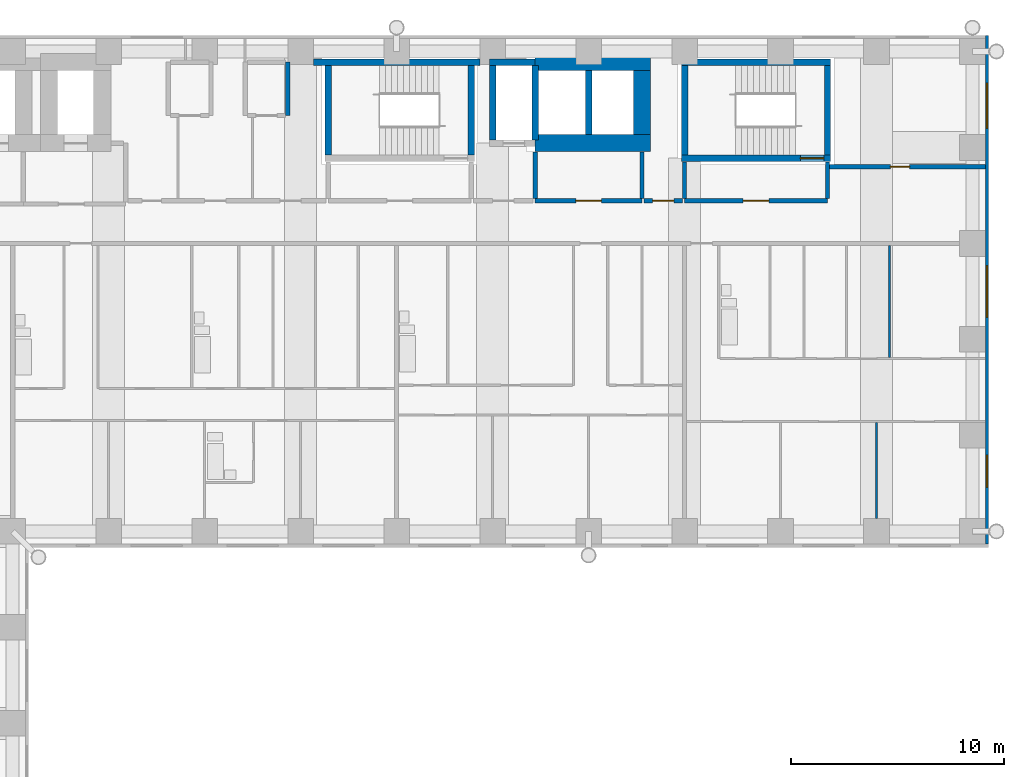
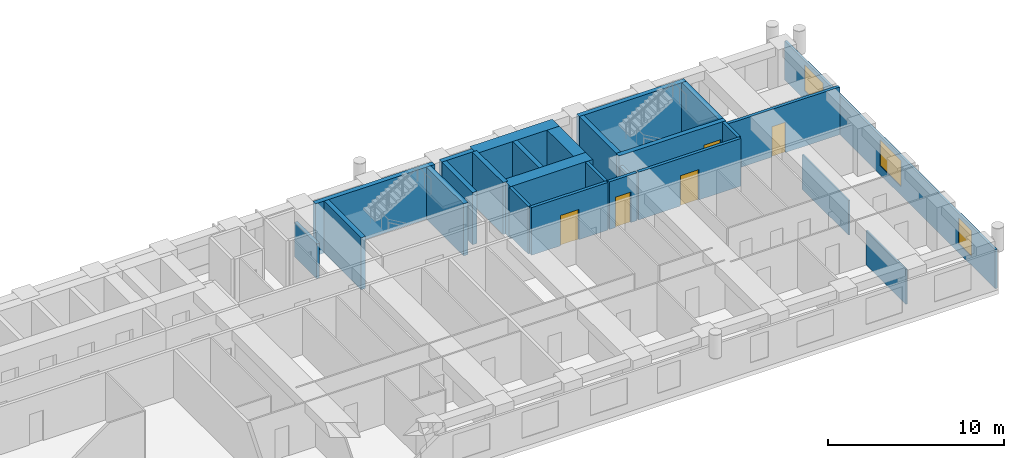
# One storey, part 11 of 14: 26 walls, 5 doors, 3 windows, 8 openings.
"""IFC4 building model written with IfcOpenShell, lengths in metres."""

from ifc_helpers import new_model, si_unit, direction, frame, frame_2d, origin, place, context, subcontext, project, spatial, rectangle, extrude, material, layer, layer_set, type_object, element, fill, save


model = new_model("IFC4")

# Units and contexts
model_context = context("Model", 3, precision=1e-05, world=origin(), true_north=direction((0.0, 1.0)))
body_context = subcontext(model_context, "Body", "Model", "MODEL_VIEW")
ifc_project = project(units=[si_unit("LENGTHUNIT", "METRE"), si_unit("AREAUNIT", "SQUARE_METRE"), si_unit("VOLUMEUNIT", "CUBIC_METRE"), si_unit("PLANEANGLEUNIT", "RADIAN"), si_unit("MASSUNIT", "GRAM", prefix="KILO")], contexts=[model_context])

# Site, building, storey
site_placement = place(None, origin())
site = spatial("IfcSite", under=ifc_project, at=site_placement, CompositionType="ELEMENT")
building_placement = place(site_placement, origin())
building = spatial("IfcBuilding", under=site, at=building_placement, Name="Firuza Court", CompositionType="ELEMENT")
storey_placement = place(building_placement, frame((0.0, 0.0, 47.0)))
storey = spatial("IfcBuildingStorey", under=building, at=storey_placement, Name="L10", CompositionType="ELEMENT", Elevation=47.0)

# Walls
ifc_material_1 = material(Name="Concrete C60/75", Category="concrete")
ifc_layer_1 = layer(ifc_material_1, 0.300048828125)
ifc_layer_set_1 = layer_set([ifc_layer_1], Name="Concrete C60/75")
wall_type_1 = type_object("IfcWallType", Name="Core wall 300 C60/75", PredefinedType="SHEAR", material=ifc_layer_set_1)
wall_1_placement = place(storey_placement, frame((36.60009765625, 58.0, -0.300048828125), z_axis=(0.0, 0.0, 1.0), x_axis=(1.0, 0.0, 0.0)))
element("IfcWall", 1, at=wall_1_placement, inside=storey, type_object=wall_type_1, Name="Core wall stair L10", PredefinedType="SHEAR", context=body_context, shape_type="SweptSolid", body=[
    extrude(rectangle(XDim=7.7998046875, YDim=0.300048828125, at=frame_2d((3.89990234375, 0.0))), origin(), (0.0, 0.0, 1.0), 3.60009765625),
])
for number, where, z_axis, x_axis, name in (
    (2, (37.300048828125, 53.64990234375, -0.300048828125), (0.0, 0.0, 1.0), (0.0, 1.0, 0.0), "Core wall stair L10"),
    (3, (44.0, 53.64990234375, -0.300048828125), (0.0, 0.0, 1.0), (0.0, 1.0, 0.0), "Core wall stair L10"),
):
    element("IfcWall", number, at=place(storey_placement, frame(where, z_axis=z_axis, x_axis=x_axis)), inside=storey, type_object=wall_type_1, Name=name, PredefinedType="SHEAR", context=body_context, shape_type="SweptSolid", body=[
        extrude(rectangle(XDim=4.2001953125, YDim=0.300048828125, at=frame_2d((2.10009765625, 0.0))), origin(), (0.0, 0.0, 1.0), 3.60009765625),
    ])
wall_2_placement = place(storey_placement, frame((44.85009765625, 58.0, -0.300048828125), z_axis=(0.0, 0.0, 1.0), x_axis=(1.0, 0.0, 0.0)))
element("IfcWall", 4, at=wall_2_placement, inside=storey, type_object=wall_type_1, Name="Core wall riser L10", PredefinedType="SHEAR", context=body_context, shape_type="SweptSolid", body=[
    extrude(rectangle(XDim=2.14990234375, YDim=0.300048828125, at=frame_2d((1.074951171875, 0.0))), origin(), (0.0, 0.0, 1.0), 3.60009765625),
])
for number, where, z_axis, x_axis, name in (
    (5, (45.0, 54.35009765625, -0.300048828125), (0.0, 0.0, 1.0), (0.0, 1.0, 0.0), "Core wall riser L10"),
    (6, (47.0, 54.35009765625, -0.300048828125), (0.0, 0.0, 1.0), (0.0, 1.0, 0.0), "Core wall lift shaft L10"),
):
    element("IfcWall", number, at=place(storey_placement, frame(where, z_axis=z_axis, x_axis=x_axis)), inside=storey, type_object=wall_type_1, Name=name, PredefinedType="SHEAR", context=body_context, shape_type="SweptSolid", body=[
        extrude(rectangle(XDim=3.5, YDim=0.300048828125, at=frame_2d((1.75, 0.0))), origin(), (0.0, 0.0, 1.0), 3.60009765625),
    ])
wall_3_placement = place(storey_placement, frame((49.5, 54.60009765625, -0.300048828125), z_axis=(0.0, 0.0, 1.0), x_axis=(0.0, 1.0, 0.0)))
element("IfcWall", 7, at=wall_3_placement, inside=storey, type_object=wall_type_1, Name="Core wall lift shaft L10", PredefinedType="SHEAR", context=body_context, shape_type="SweptSolid", body=[
    extrude(rectangle(XDim=3.0, YDim=0.300048828125, at=frame_2d((1.5, 0.0))), origin(), (0.0, 0.0, 1.0), 3.60009765625),
])

# Wall, opening, door
wall_4_placement = place(storey_placement, frame((53.85009765625, 53.5, -0.300048828125), z_axis=(0.0, 0.0, 1.0), x_axis=(1.0, 0.0, 0.0)))
wall_4 = element("IfcWall", 8, at=wall_4_placement, inside=storey, type_object=wall_type_1, Name="Core wall stair L10", PredefinedType="SHEAR", context=body_context, shape_type="SweptSolid", body=[
    extrude(rectangle(XDim=7.0, YDim=0.300048828125, at=frame_2d((3.5, 0.0))), origin(), (0.0, 0.0, 1.0), 3.60009765625),
])
opening_1_placement = place(wall_4_placement, frame((5.580078125, 0.0, 0.300048828125)))
opening_1 = element("IfcOpeningElement", 9, at=opening_1_placement, cuts=wall_4, Name="Opening D10017", PredefinedType="OPENING", context=body_context, shape_type="SweptSolid", body=[
    extrude(rectangle(XDim=1.10009765625, YDim=2.10009765625, at=frame_2d((0.550048828125, 1.050048828125))), frame((0.0, 0.162109375, 0.0), z_axis=(0.0, -1.0, 0.0), x_axis=(1.0, 0.0, 0.0)), (0.0, 0.0, 1.0), 0.323974609375),
])
ifc_material_2 = material(Name="Timber door leaf in hardwood frame", Category="wood")
door_type_1 = type_object("IfcDoorType", Name="Stair door 1100", OperationType="SINGLE_SWING_LEFT", PredefinedType="DOOR", material=ifc_material_2)
door_1_placement = place(opening_1_placement, origin())
door_1 = element("IfcDoor", 10, at=door_1_placement, inside=storey, type_object=door_type_1, Name="Stair door S4", OperationType="SINGLE_SWING_RIGHT", OverallHeight=2.10009765625, OverallWidth=1.10009765625, PredefinedType="DOOR", context=body_context, shape_type="SweptSolid", body=[
    extrude(rectangle(XDim=1.10009765625, YDim=2.10009765625, at=frame_2d((0.550048828125, 1.050048828125))), frame((0.0, 0.02490234375, 0.0), z_axis=(0.0, -1.0, 0.0), x_axis=(1.0, 0.0, 0.0)), (0.0, 0.0, 1.0), 0.050048828125),
])
fill(opening_1, door_1)

# Walls
wall_5_placement = place(storey_placement, frame((53.85009765625, 58.0, -0.300048828125), z_axis=(0.0, 0.0, 1.0), x_axis=(1.0, 0.0, 0.0)))
element("IfcWall", 11, at=wall_5_placement, inside=storey, type_object=wall_type_1, Name="Core wall stair L10", PredefinedType="SHEAR", context=body_context, shape_type="SweptSolid", body=[
    extrude(rectangle(XDim=7.0, YDim=0.300048828125, at=frame_2d((3.5, 0.0))), origin(), (0.0, 0.0, 1.0), 3.60009765625),
])
for number, where, z_axis, x_axis, name in (
    (12, (54.0, 53.64990234375, -0.300048828125), (0.0, 0.0, 1.0), (0.0, 1.0, 0.0), "Core wall stair L10"),
    (13, (60.699951171875, 53.64990234375, -0.300048828125), (0.0, 0.0, 1.0), (0.0, 1.0, 0.0), "Core wall stair L10"),
):
    element("IfcWall", number, at=place(storey_placement, frame(where, z_axis=z_axis, x_axis=x_axis)), inside=storey, type_object=wall_type_1, Name=name, PredefinedType="SHEAR", context=body_context, shape_type="SweptSolid", body=[
        extrude(rectangle(XDim=4.2001953125, YDim=0.300048828125, at=frame_2d((2.10009765625, 0.0))), origin(), (0.0, 0.0, 1.0), 3.60009765625),
    ])
ifc_layer_2 = layer(ifc_material_1, 0.800048828125)
ifc_layer_set_2 = layer_set([ifc_layer_2], Name="Concrete C60/75")
wall_type_2 = type_object("IfcWallType", Name="Core wall 800 C60/75", PredefinedType="SHEAR", material=ifc_layer_set_2)
for number, where, z_axis, x_axis, name in (
    (14, (47.0, 54.199951171875, -0.300048828125), (0.0, 0.0, 1.0), (1.0, 0.0, 0.0), "Core wall lift shaft L10"),
    (15, (47.0, 58.0, -0.300048828125), (0.0, 0.0, 1.0), (1.0, 0.0, 0.0), "Core wall lift shaft L10"),
):
    element("IfcWall", number, at=place(storey_placement, frame(where, z_axis=z_axis, x_axis=x_axis)), inside=storey, type_object=wall_type_2, Name=name, PredefinedType="SHEAR", context=body_context, shape_type="SweptSolid", body=[
        extrude(rectangle(XDim=5.39990234375, YDim=0.800048828125, at=frame_2d((2.699951171875, 0.0))), origin(), (0.0, 0.0, 1.0), 3.60009765625),
    ])
wall_6_placement = place(storey_placement, frame((52.0, 54.60009765625, -0.300048828125), z_axis=(0.0, 0.0, 1.0), x_axis=(0.0, 1.0, 0.0)))
element("IfcWall", 16, at=wall_6_placement, inside=storey, type_object=wall_type_2, Name="Core wall lift shaft L10", PredefinedType="SHEAR", context=body_context, shape_type="SweptSolid", body=[
    extrude(rectangle(XDim=3.0, YDim=0.800048828125, at=frame_2d((1.5, 0.0))), origin(), (0.0, 0.0, 1.0), 3.60009765625),
])

# Wall, opening, door
ifc_material_3 = material(Name="Blockwork, plastered both sides", Category="masonry")
ifc_layer_3 = layer(ifc_material_3, 0.199951171875)
ifc_layer_set_3 = layer_set([ifc_layer_3], Name="Blockwork, plastered both sides")
wall_type_3 = type_object("IfcWallType", Name="Corridor wall 200", PredefinedType="PARTITIONING", material=ifc_layer_set_3)
wall_7_placement = place(storey_placement, frame((52.10009765625, 51.5, 0.0), z_axis=(0.0, 0.0, 1.0), x_axis=(1.0, 0.0, 0.0)))
wall_7 = element("IfcWall", 17, at=wall_7_placement, inside=storey, type_object=wall_type_3, Name="Corridor wall 200 L10", PredefinedType="PARTITIONING", context=body_context, shape_type="SweptSolid", body=[
    extrude(rectangle(XDim=1.7998046875, YDim=0.199951171875, at=frame_2d((0.89990234375, 0.0))), origin(), (0.0, 0.0, 1.0), 3.300048828125),
])
opening_2_placement = place(wall_7_placement, frame((0.39990234375, 0.0, 0.0)))
opening_2 = element("IfcOpeningElement", 18, at=opening_2_placement, cuts=wall_7, Name="Opening D10078", PredefinedType="OPENING", context=body_context, shape_type="SweptSolid", body=[
    extrude(rectangle(XDim=1.0, YDim=2.10009765625, at=frame_2d((0.5, 1.050048828125))), frame((0.0, 0.11181640625, 0.0), z_axis=(0.0, -1.0, 0.0), x_axis=(1.0, 0.0, 0.0)), (0.0, 0.0, 1.0), 0.223876953125),
])
ifc_material_4 = material(Name="Timber door leaf in hardwood frame", Category="wood")
door_type_2 = type_object("IfcDoorType", Name="Store door 1000", OperationType="SINGLE_SWING_LEFT", PredefinedType="DOOR", material=ifc_material_4)
door_2_placement = place(opening_2_placement, origin())
door_2 = element("IfcDoor", 19, at=door_2_placement, inside=storey, type_object=door_type_2, Name="Bicycle store door", OperationType="SINGLE_SWING_LEFT", OverallHeight=2.10009765625, OverallWidth=1.0, PredefinedType="DOOR", context=body_context, shape_type="SweptSolid", body=[
    extrude(rectangle(XDim=1.0, YDim=2.10009765625, at=frame_2d((0.5, 1.050048828125))), frame((0.0, 0.02490234375, 0.0), z_axis=(0.0, -1.0, 0.0), x_axis=(1.0, 0.0, 0.0)), (0.0, 0.0, 1.0), 0.050048828125),
])
fill(opening_2, door_2)

wall_8_placement = place(storey_placement, frame((60.800048828125, 53.10009765625, 0.0), z_axis=(0.0, 0.0, 1.0), x_axis=(1.0, 0.0, 0.0)))
wall_8 = element("IfcWall", 20, at=wall_8_placement, inside=storey, type_object=wall_type_3, Name="Corridor wall 200 L10", PredefinedType="PARTITIONING", context=body_context, shape_type="SweptSolid", body=[
    extrude(rectangle(XDim=7.300048828125, YDim=0.199951171875, at=frame_2d((3.64990234375, 0.0))), origin(), (0.0, 0.0, 1.0), 3.300048828125),
])
opening_3_placement = place(wall_8_placement, frame((2.85009765625, 0.0, 0.0)))
opening_3 = element("IfcOpeningElement", 21, at=opening_3_placement, cuts=wall_8, Name="Opening D10079", PredefinedType="OPENING", context=body_context, shape_type="SweptSolid", body=[
    extrude(rectangle(XDim=0.89990234375, YDim=2.10009765625, at=frame_2d((0.449951171875, 1.050048828125))), frame((0.0, 0.11181640625, 0.0), z_axis=(0.0, -1.0, 0.0), x_axis=(1.0, 0.0, 0.0)), (0.0, 0.0, 1.0), 0.223876953125),
])
ifc_material_5 = material(Name="Timber door leaf in hardwood frame", Category="wood")
door_type_3 = type_object("IfcDoorType", Name="Room door 900 EI 30", OperationType="SINGLE_SWING_LEFT", PredefinedType="DOOR", material=ifc_material_5)
door_3_placement = place(opening_3_placement, origin())
door_3 = element("IfcDoor", 22, at=door_3_placement, inside=storey, type_object=door_type_3, Name="Meeting room door", OperationType="SINGLE_SWING_LEFT", OverallHeight=2.10009765625, OverallWidth=0.89990234375, PredefinedType="DOOR", context=body_context, shape_type="SweptSolid", body=[
    extrude(rectangle(XDim=0.89990234375, YDim=2.10009765625, at=frame_2d((0.449951171875, 1.050048828125))), frame((0.0, 0.02490234375, 0.0), z_axis=(0.0, -1.0, 0.0), x_axis=(1.0, 0.0, 0.0)), (0.0, 0.0, 1.0), 0.050048828125),
])
fill(opening_3, door_3)

# Walls
ifc_material_6 = material(Name="Timber stud partition, plasterboard both sides", Category="wood")
ifc_layer_4 = layer(ifc_material_6, 0.10009765625)
ifc_layer_set_4 = layer_set([ifc_layer_4], Name="Timber stud partition, plasterboard both sides")
wall_type_4 = type_object("IfcWallType", Name="Partition wall 100", PredefinedType="PARTITIONING", material=ifc_layer_set_4)
wall_9_placement = place(storey_placement, frame((63.0, 36.60009765625, 0.0), z_axis=(0.0, 0.0, 1.0), x_axis=(0.0, 1.0, 0.0)))
element("IfcWall", 23, at=wall_9_placement, inside=storey, type_object=wall_type_4, Name="Partition wall 100 L10", PredefinedType="PARTITIONING", context=body_context, shape_type="SweptSolid", body=[
    extrude(rectangle(XDim=4.5, YDim=0.10009765625, at=frame_2d((2.25, 0.0))), origin(), (0.0, 0.0, 1.0), 2.39990234375),
])
wall_10_placement = place(storey_placement, frame((63.60009765625, 44.14990234375, 0.0), z_axis=(0.0, 0.0, 1.0), x_axis=(0.0, 1.0, 0.0)))
element("IfcWall", 24, at=wall_10_placement, inside=storey, type_object=wall_type_4, Name="Partition wall 100 L10", PredefinedType="PARTITIONING", context=body_context, shape_type="SweptSolid", body=[
    extrude(rectangle(XDim=5.25, YDim=0.10009765625, at=frame_2d((2.625, 0.0))), origin(), (0.0, 0.0, 1.0), 2.39990234375),
])
ifc_material_7 = material(Name="Blockwork, fire-rated", Category="masonry")
ifc_layer_5 = layer(ifc_material_7, 0.199951171875)
ifc_layer_set_5 = layer_set([ifc_layer_5], Name="Blockwork, fire-rated")
wall_type_5 = type_object("IfcWallType", Name="Plant room wall 200", PredefinedType="PARTITIONING", material=ifc_layer_set_5)
wall_11_placement = place(storey_placement, frame((35.39990234375, 55.5, 0.0), z_axis=(0.0, 0.0, 1.0), x_axis=(0.0, 1.0, 0.0)))
element("IfcWall", 25, at=wall_11_placement, inside=storey, type_object=wall_type_5, Name="Plant room wall 200 L10", PredefinedType="PARTITIONING", context=body_context, shape_type="SweptSolid", body=[
    extrude(rectangle(XDim=2.5, YDim=0.199951171875, at=frame_2d((1.25, 0.0))), origin(), (0.0, 0.0, 1.0), 2.39990234375),
])

# Wall, openings, windows
ifc_material_8 = material(Name="Ceramic tile", Category="ceramic")
ifc_layer_6 = layer(ifc_material_8, 0.02001953125)
ifc_material_9 = material(Name="Mineral wool insulation", Category="insulation")
ifc_layer_7 = layer(ifc_material_9, 0.050048828125)
ifc_material_10 = material(Name="Concrete C40/50 precast", Category="concrete")
ifc_layer_8 = layer(ifc_material_10, 0.080078125)
ifc_layer_set_6 = layer_set([ifc_layer_6, ifc_layer_7, ifc_layer_8], Name="Concrete C40/50 precast")
wall_type_6 = type_object("IfcWallType", Name="Precast cladding wall with turquoise TILE PANEL face 150", PredefinedType="STANDARD", material=ifc_layer_set_6)
wall_12_placement = place(storey_placement, frame((68.175048828125, 35.39990234375, 0.0), z_axis=(0.0, 0.0, 1.0), x_axis=(0.0, 1.0, 0.0)))
wall_12 = element("IfcWall", 26, at=wall_12_placement, inside=storey, type_object=wall_type_6, Name="Facade wall L10 E", PredefinedType="STANDARD", context=body_context, shape_type="SweptSolid", body=[
    extrude(rectangle(XDim=23.85009765625, YDim=0.14990234375, at=frame_2d((11.925048828125, 0.0))), origin(), (0.0, 0.0, 1.0), 2.699951171875),
])
opening_4_placement = place(wall_12_placement, frame((2.67041015625, 0.0, 0.60009765625)))
opening_4 = element("IfcOpeningElement", 27, at=opening_4_placement, cuts=wall_12, Name="Opening W2", PredefinedType="OPENING", context=body_context, shape_type="SweptSolid", body=[
    extrude(rectangle(XDim=1.5, YDim=1.800048828125, at=frame_2d((0.75, 0.89990234375))), frame((0.0, 0.0869140625, 0.0), z_axis=(0.0, -1.0, 0.0), x_axis=(1.0, 0.0, 0.0)), (0.0, 0.0, 1.0), 0.173828125),
])
opening_5_placement = place(wall_12_placement, frame((10.64990234375, 0.0, 0.60009765625)))
opening_5 = element("IfcOpeningElement", 28, at=opening_5_placement, cuts=wall_12, Name="Opening W1", PredefinedType="OPENING", context=body_context, shape_type="SweptSolid", body=[
    extrude(rectangle(XDim=2.39990234375, YDim=1.800048828125, at=frame_2d((1.199951171875, 0.89990234375))), frame((0.0, 0.0869140625, 0.0), z_axis=(0.0, -1.0, 0.0), x_axis=(1.0, 0.0, 0.0)), (0.0, 0.0, 1.0), 0.173828125),
])
opening_6_placement = place(wall_12_placement, frame((19.49951171875, 0.0, 0.60009765625)))
opening_6 = element("IfcOpeningElement", 29, at=opening_6_placement, cuts=wall_12, Name="Opening W6", PredefinedType="OPENING", context=body_context, shape_type="SweptSolid", body=[
    extrude(rectangle(XDim=2.10009765625, YDim=1.800048828125, at=frame_2d((1.050048828125, 0.89990234375))), frame((0.0, 0.0869140625, 0.0), z_axis=(0.0, -1.0, 0.0), x_axis=(1.0, 0.0, 0.0)), (0.0, 0.0, 1.0), 0.173828125),
])
ifc_material_11 = material(Name="Aluminium frame, triple clear glazing", Category="aluminium")
window_type_1 = type_object("IfcWindowType", Name="Window W1 2400 x 1800", PartitioningType="SINGLE_PANEL", PredefinedType="WINDOW", material=ifc_material_11)
window_1_placement = place(opening_5_placement, origin())
window_1 = element("IfcWindow", 30, at=window_1_placement, inside=storey, type_object=window_type_1, Name="Window L10", OverallHeight=1.800048828125, OverallWidth=2.39990234375, PartitioningType="SINGLE_PANEL", PredefinedType="WINDOW", context=body_context, shape_type="SweptSolid", body=[
    extrude(rectangle(XDim=2.39990234375, YDim=1.800048828125, at=frame_2d((1.199951171875, 0.89990234375))), frame((0.0, 0.030029296875, 0.0), z_axis=(0.0, -1.0, 0.0), x_axis=(1.0, 0.0, 0.0)), (0.0, 0.0, 1.0), 0.06005859375),
])
fill(opening_5, window_1)
ifc_material_12 = material(Name="Aluminium frame, triple clear glazing", Category="aluminium")
window_type_2 = type_object("IfcWindowType", Name="Window W2 1500 x 1800", PartitioningType="SINGLE_PANEL", PredefinedType="WINDOW", material=ifc_material_12)
window_2_placement = place(opening_4_placement, origin())
window_2 = element("IfcWindow", 31, at=window_2_placement, inside=storey, type_object=window_type_2, Name="Window L10", OverallHeight=1.800048828125, OverallWidth=1.5, PartitioningType="SINGLE_PANEL", PredefinedType="WINDOW", context=body_context, shape_type="SweptSolid", body=[
    extrude(rectangle(XDim=1.5, YDim=1.800048828125, at=frame_2d((0.75, 0.89990234375))), frame((0.0, 0.030029296875, 0.0), z_axis=(0.0, -1.0, 0.0), x_axis=(1.0, 0.0, 0.0)), (0.0, 0.0, 1.0), 0.06005859375),
])
fill(opening_4, window_2)
ifc_material_13 = material(Name="Aluminium frame, triple clear glazing", Category="aluminium")
window_type_3 = type_object("IfcWindowType", Name="Window W6 2100 x 1800", PartitioningType="SINGLE_PANEL", PredefinedType="WINDOW", material=ifc_material_13)
window_3_placement = place(opening_6_placement, origin())
window_3 = element("IfcWindow", 32, at=window_3_placement, inside=storey, type_object=window_type_3, Name="Window L10", OverallHeight=1.800048828125, OverallWidth=2.10009765625, PartitioningType="SINGLE_PANEL", PredefinedType="WINDOW", context=body_context, shape_type="SweptSolid", body=[
    extrude(rectangle(XDim=2.10009765625, YDim=1.800048828125, at=frame_2d((1.050048828125, 0.89990234375))), frame((0.0, 0.030029296875, 0.0), z_axis=(0.0, -1.0, 0.0), x_axis=(1.0, 0.0, 0.0)), (0.0, 0.0, 1.0), 0.06005859375),
])
fill(opening_6, window_3)

# Wall, opening, door
ifc_layer_9 = layer(ifc_material_7, 0.199951171875)
ifc_layer_set_7 = layer_set([ifc_layer_9], Name="Blockwork, fire-rated")
wall_type_7 = type_object("IfcWallType", Name="Shaft wall 200", PredefinedType="PARTITIONING", material=ifc_layer_set_7)
wall_13_placement = place(storey_placement, frame((47.0, 51.5, 0.0), z_axis=(0.0, 0.0, 1.0), x_axis=(1.0, 0.0, 0.0)))
wall_13 = element("IfcWall", 33, at=wall_13_placement, inside=storey, type_object=wall_type_7, Name="Shaft wall 200 L10", PredefinedType="PARTITIONING", context=body_context, shape_type="SweptSolid", body=[
    extrude(rectangle(XDim=5.0, YDim=0.199951171875, at=frame_2d((2.5, 0.0))), origin(), (0.0, 0.0, 1.0), 3.300048828125),
])
opening_7_placement = place(wall_13_placement, frame((1.89990234375, 0.0, 0.0)))
opening_7 = element("IfcOpeningElement", 34, at=opening_7_placement, cuts=wall_13, Name="Opening D10009", PredefinedType="OPENING", context=body_context, shape_type="SweptSolid", body=[
    extrude(rectangle(XDim=1.199951171875, YDim=2.10009765625, at=frame_2d((0.60009765625, 1.050048828125))), frame((0.0, 0.11181640625, 0.0), z_axis=(0.0, -1.0, 0.0), x_axis=(1.0, 0.0, 0.0)), (0.0, 0.0, 1.0), 0.223876953125),
])
ifc_material_14 = material(Name="Timber door leaf in hardwood frame", Category="wood")
door_type_4 = type_object("IfcDoorType", Name="Lobby door 1200", OperationType="SINGLE_SWING_LEFT", PredefinedType="DOOR", material=ifc_material_14)
door_4_placement = place(opening_7_placement, origin())
door_4 = element("IfcDoor", 35, at=door_4_placement, inside=storey, type_object=door_type_4, Name="Lobby door", OperationType="SINGLE_SWING_LEFT", OverallHeight=2.10009765625, OverallWidth=1.199951171875, PredefinedType="DOOR", context=body_context, shape_type="SweptSolid", body=[
    extrude(rectangle(XDim=1.199951171875, YDim=2.10009765625, at=frame_2d((0.60009765625, 1.050048828125))), frame((0.0, 0.02490234375, 0.0), z_axis=(0.0, -1.0, 0.0), x_axis=(1.0, 0.0, 0.0)), (0.0, 0.0, 1.0), 0.050048828125),
])
fill(opening_7, door_4)

# Walls
for number, where, z_axis, x_axis, name in (
    (36, (52.0, 51.60009765625, 0.0), (0.0, 0.0, 1.0), (0.0, 1.0, 0.0), "Shaft wall 200 L10"),
    (37, (47.0, 51.60009765625, 0.0), (0.0, 0.0, 1.0), (0.0, 1.0, 0.0), "Shaft wall 200 L10"),
):
    element("IfcWall", number, at=place(storey_placement, frame(where, z_axis=z_axis, x_axis=x_axis)), inside=storey, type_object=wall_type_7, Name=name, PredefinedType="PARTITIONING", context=body_context, shape_type="SweptSolid", body=[
        extrude(rectangle(XDim=2.179931640625, YDim=0.199951171875, at=frame_2d((1.08984375, 0.0))), origin(), (0.0, 0.0, 1.0), 3.300048828125),
    ])

# Wall, opening, door
wall_14_placement = place(storey_placement, frame((54.0, 51.5, 0.0), z_axis=(0.0, 0.0, 1.0), x_axis=(1.0, 0.0, 0.0)))
wall_14 = element("IfcWall", 38, at=wall_14_placement, inside=storey, type_object=wall_type_7, Name="Shaft wall 200 L10", PredefinedType="PARTITIONING", context=body_context, shape_type="SweptSolid", body=[
    extrude(rectangle(XDim=6.699951171875, YDim=0.199951171875, at=frame_2d((3.35009765625, 0.0))), origin(), (0.0, 0.0, 1.0), 3.300048828125),
])
opening_8_placement = place(wall_14_placement, frame((2.75, 0.0, 0.0)))
opening_8 = element("IfcOpeningElement", 39, at=opening_8_placement, cuts=wall_14, Name="Opening D10007", PredefinedType="OPENING", context=body_context, shape_type="SweptSolid", body=[
    extrude(rectangle(XDim=1.199951171875, YDim=2.10009765625, at=frame_2d((0.60009765625, 1.050048828125))), frame((0.0, 0.11181640625, 0.0), z_axis=(0.0, -1.0, 0.0), x_axis=(1.0, 0.0, 0.0)), (0.0, 0.0, 1.0), 0.223876953125),
])
door_5_placement = place(opening_8_placement, origin())
door_5 = element("IfcDoor", 40, at=door_5_placement, inside=storey, type_object=door_type_4, Name="Lobby door", OperationType="SINGLE_SWING_LEFT", OverallHeight=2.10009765625, OverallWidth=1.199951171875, PredefinedType="DOOR", context=body_context, shape_type="SweptSolid", body=[
    extrude(rectangle(XDim=1.199951171875, YDim=2.10009765625, at=frame_2d((0.60009765625, 1.050048828125))), frame((0.0, 0.02490234375, 0.0), z_axis=(0.0, -1.0, 0.0), x_axis=(1.0, 0.0, 0.0)), (0.0, 0.0, 1.0), 0.050048828125),
])
fill(opening_8, door_5)

# Walls
wall_15_placement = place(storey_placement, frame((60.699951171875, 51.60009765625, 0.0), z_axis=(0.0, 0.0, 1.0), x_axis=(0.0, 1.0, 0.0)))
element("IfcWall", 41, at=wall_15_placement, inside=storey, type_object=wall_type_7, Name="Shaft wall 200 L10", PredefinedType="PARTITIONING", context=body_context, shape_type="SweptSolid", body=[
    extrude(rectangle(XDim=1.72998046875, YDim=0.199951171875, at=frame_2d((0.864990234375, 0.0))), origin(), (0.0, 0.0, 1.0), 3.300048828125),
])
wall_16_placement = place(storey_placement, frame((54.0, 51.60009765625, 0.0), z_axis=(0.0, 0.0, 1.0), x_axis=(0.0, 1.0, 0.0)))
element("IfcWall", 42, at=wall_16_placement, inside=storey, type_object=wall_type_7, Name="Shaft wall 200 L10", PredefinedType="PARTITIONING", context=body_context, shape_type="SweptSolid", body=[
    extrude(rectangle(XDim=1.72998046875, YDim=0.199951171875, at=frame_2d((0.864990234375, 0.0))), origin(), (0.0, 0.0, 1.0), 2.60009765625),
])

save(model, "model.ifc")
